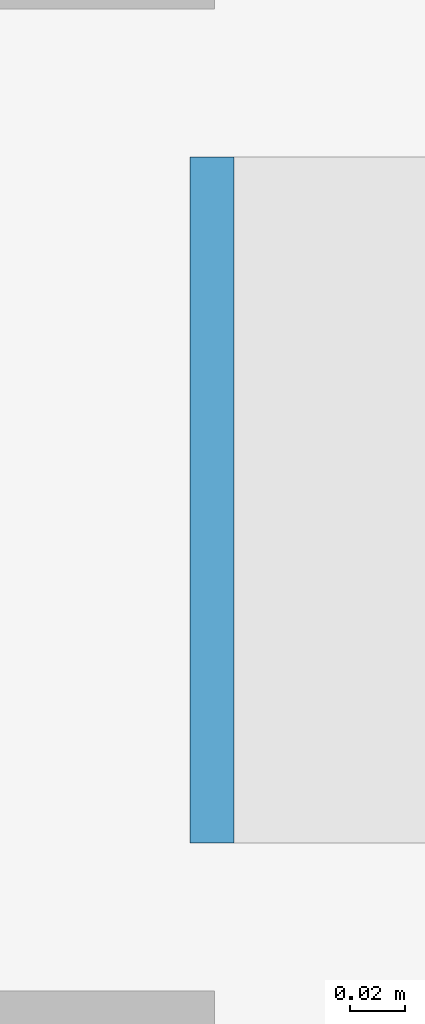
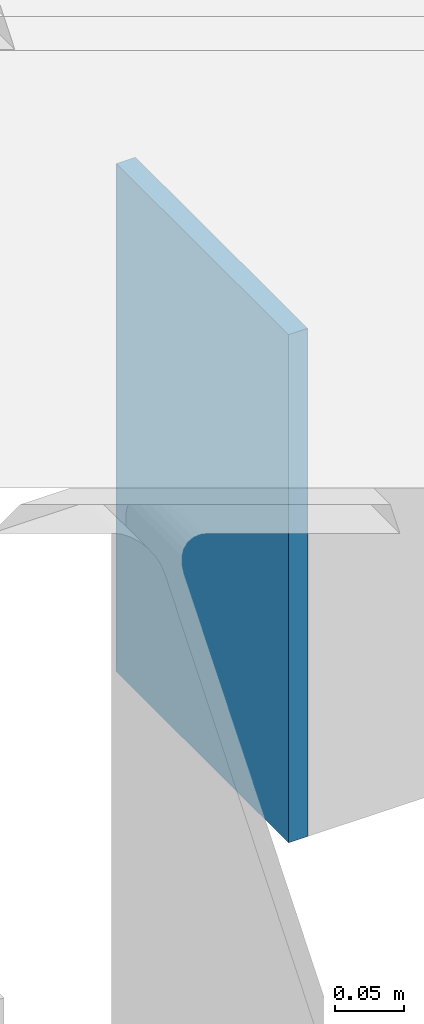
# One storey, part 59 of 85: 1 discrete accessory.
"""IFC4 building model written with IfcOpenShell, lengths in metres."""

import ifcopenshell
import ifcopenshell.guid

model = None  # the IFC model being written
_history = None  # IfcOwnerHistory: only IFC2X3 demands one
_inside = {}  # id of a spatial element -> (the spatial element, [elements in it])
_under = {}  # id of a project, library or spatial element -> (it, [spatial elements below it])
_declared = {}  # id of a project -> (the project, [libraries it declares])
_typed = {}  # id of a type object -> (the type object, [elements of that type])
_made_of = {}  # id of a material, layer set ... -> (it, [elements and type objects made of it])


def new_model(schema):
    """Start an empty IFC model of exactly this schema.

    Asked for "IFC4X3", IfcOpenShell would pick the latest addendum, in which some entities
    have other attributes; the version numbers below select the first issue.
    IFC2X3 requires an IfcOwnerHistory on every rooted entity: one is made here for all.
    """
    global model, _history
    if schema == "IFC4X3":
        model = ifcopenshell.file(schema_version=(4, 3, 0, 0))
    else:
        model = ifcopenshell.file(schema=schema)
    _inside.clear()
    _under.clear()
    _declared.clear()
    _typed.clear()
    _made_of.clear()
    _history = None
    if model.schema == "IFC2X3":
        org = make("IfcOrganization", Name="unknown")
        user = make(
            "IfcPersonAndOrganization",
            ThePerson=make("IfcPerson", FamilyName="unknown"),
            TheOrganization=org,
        )
        app = make(
            "IfcApplication",
            ApplicationDeveloper=org,
            Version="unknown",
            ApplicationFullName="unknown",
            ApplicationIdentifier="unknown",
        )
        _history = make(
            "IfcOwnerHistory",
            OwningUser=user,
            OwningApplication=app,
            ChangeAction="ADDED",
            CreationDate=0,
        )
    return model


def make(cls, **values):
    """One entity of the class cls with the attributes given. An attribute that is None is left unset."""
    return model.create_entity(
        cls, **{name: value for name, value in values.items() if value is not None}
    )


def rooted(cls, **values):
    """An entity with a GlobalId (a new one), such as an element, a storey or a relation."""
    return make(cls, GlobalId=ifcopenshell.guid.new(), OwnerHistory=_history, **values)


def si_unit(unit_type, name, prefix=None):
    """IfcSIUnit, for example si_unit("LENGTHUNIT", "METRE", prefix="MILLI")."""
    return make("IfcSIUnit", UnitType=unit_type, Prefix=prefix, Name=name)


def assignment(units):
    """IfcUnitAssignment: the units of a project."""
    return None if units is None else make("IfcUnitAssignment", Units=units)


def point(xyz):
    """IfcCartesianPoint."""
    return None if xyz is None else make("IfcCartesianPoint", Coordinates=xyz)


def direction(xyz):
    """IfcDirection."""
    return None if xyz is None else make("IfcDirection", DirectionRatios=xyz)


def frame(location, z_axis=None, x_axis=None):
    """IfcAxis2Placement3D, a coordinate frame: its origin and axes. An axis left out is left unset."""
    return make(
        "IfcAxis2Placement3D",
        Location=point(location),
        Axis=direction(z_axis),
        RefDirection=direction(x_axis),
    )


def frame_2d(location, x_axis=None):
    """IfcAxis2Placement2D, a coordinate frame in the plane: its origin and x axis."""
    return make(
        "IfcAxis2Placement2D", Location=point(location), RefDirection=direction(x_axis)
    )


def origin():
    """The frame at (0, 0, 0) with its axes left unset."""
    return frame((0.0, 0.0, 0.0))


def origin_2d():
    """The frame at (0, 0) in the plane with its x axis left unset."""
    return frame_2d((0.0, 0.0))


def place(relative_to, where):
    """IfcLocalPlacement: puts the frame where relative to a parent placement (None: the world)."""
    return make(
        "IfcLocalPlacement", PlacementRelTo=relative_to, RelativePlacement=where
    )


def context(
    kind, dimensions, precision=None, world=None, true_north=None, identifier=None
):
    """IfcGeometricRepresentationContext, for example the 3D "Model" context."""
    return make(
        "IfcGeometricRepresentationContext",
        ContextIdentifier=identifier,
        ContextType=kind,
        CoordinateSpaceDimension=dimensions,
        Precision=precision,
        WorldCoordinateSystem=world,
        TrueNorth=true_north,
    )


def subcontext(parent, identifier, kind, view, scale=None):
    """IfcGeometricRepresentationSubContext, for example "Body" below "Model"."""
    return make(
        "IfcGeometricRepresentationSubContext",
        ContextIdentifier=identifier,
        ContextType=kind,
        ParentContext=parent,
        TargetScale=scale,
        TargetView=view,
    )


def project(units=None, contexts=None):
    """IfcProject with its units and contexts."""
    return rooted(
        "IfcProject",
        Name="project",
        RepresentationContexts=contexts,
        UnitsInContext=assignment(units),
    )


def spatial(cls, under=None, at=None, **own):
    """A site, building, storey or space (cls), placed at a placement, below another one or the project."""
    s = rooted(cls, ObjectPlacement=at, **own)
    if under is not None:
        _under.setdefault(under.id(), (under, []))[1].append(s)
    return s


def profile(cls, at=None, kind="AREA", **sizes):
    """A parametric profile (cls). Its sizes go by their IFC names, for example OverallWidth=200.0."""
    return make(cls, ProfileType=kind, Position=at, **sizes)


def rectangle(**sizes):
    """IfcRectangleProfileDef."""
    return profile("IfcRectangleProfileDef", **sizes)


def extrude(swept, where, along, depth):
    """IfcExtrudedAreaSolid: the profile swept, set in the frame where, extruded along a direction by depth."""
    return make(
        "IfcExtrudedAreaSolid",
        SweptArea=swept,
        Position=where,
        ExtrudedDirection=direction(along),
        Depth=depth,
    )


def shape(context_of_items, identifier, shape_type, items):
    """IfcShapeRepresentation: the items that make up one representation, for example the "Body"."""
    return make(
        "IfcShapeRepresentation",
        ContextOfItems=context_of_items,
        RepresentationIdentifier=identifier,
        RepresentationType=shape_type,
        Items=items,
    )


def material(Name=None, Category=None):
    """IfcMaterial."""
    return make("IfcMaterial", Name=Name, Category=Category)


def made_of(thing, what):
    """Note that an element or type object is made of a material, layer set ...; save() writes the relation."""
    if what is not None:
        _made_of.setdefault(what.id(), (what, []))[1].append(thing)
    return thing


def type_object(cls, material=None, **own):
    """A type object (cls), such as IfcWallType, which elements share."""
    return made_of(rooted(cls, **own), material)


def element(
    cls,
    number,
    at=None,
    inside=None,
    cuts=None,
    type_object=None,
    material=None,
    context=None,
    identifier="Body",
    shape_type=None,
    held_by="IfcProductDefinitionShape",
    body=None,
    shapes=None,
    **own,
):
    """One element of the class cls, such as IfcWall. Its Tag is "e" and its number.

    at: its placement. inside: the storey or other place that contains it. cuts: it is an
    opening in that element (IfcRelVoidsElement). A single representation is given by context,
    identifier, shape_type and body (its items); several are given by shapes. held_by: the class
    of the entity that holds the representations. save() writes the other relations.
    """
    e = rooted(cls, Tag="e%d" % number, ObjectPlacement=at, **own)
    if body is not None:
        shapes = [shape(context, identifier, shape_type, body)]
    if shapes is not None:
        e.Representation = make(held_by, Representations=shapes)
    if inside is not None:
        _inside.setdefault(inside.id(), (inside, []))[1].append(e)
    if cuts is not None:
        rooted(
            "IfcRelVoidsElement", RelatingBuildingElement=cuts, RelatedOpeningElement=e
        )
    if type_object is not None:
        _typed.setdefault(type_object.id(), (type_object, []))[1].append(e)
    return made_of(e, material)


def aggregate(whole, parts):
    """IfcRelAggregates: a whole, such as a stair, and the parts it consists of."""
    return rooted("IfcRelAggregates", RelatingObject=whole, RelatedObjects=parts)


def save(model, path):
    """Write the relations noted so far, then the file.

    IfcRelAggregates (storeys below a building ...), IfcRelContainedInSpatialStructure (elements
    in a storey), IfcRelDefinesByType, IfcRelAssociatesMaterial and IfcRelDeclares: one each for
    every whole, place, type object, material and project.
    """
    for whole, parts in _under.values():
        aggregate(whole, parts)
    for where, things in _inside.values():
        rooted(
            "IfcRelContainedInSpatialStructure",
            RelatedElements=things,
            RelatingStructure=where,
        )
    for kind, things in _typed.values():
        rooted("IfcRelDefinesByType", RelatedObjects=things, RelatingType=kind)
    for what, things in _made_of.values():
        rooted("IfcRelAssociatesMaterial", RelatedObjects=things, RelatingMaterial=what)
    for by, libraries in _declared.values():
        rooted("IfcRelDeclares", RelatingContext=by, RelatedDefinitions=libraries)
    model.write(path)


model = new_model("IFC4")

# Units and contexts
model_context = context("Model", 3, precision=1e-05, world=origin(), true_north=direction((0.0, 1.0)))
body_context = subcontext(model_context, "Body", "Model", "MODEL_VIEW")
ifc_project = project(units=[si_unit("LENGTHUNIT", "METRE"), si_unit("AREAUNIT", "SQUARE_METRE"), si_unit("VOLUMEUNIT", "CUBIC_METRE"), si_unit("PLANEANGLEUNIT", "RADIAN"), si_unit("MASSUNIT", "GRAM", prefix="KILO"), si_unit("THERMODYNAMICTEMPERATUREUNIT", "KELVIN")], contexts=[model_context])

# Site, building, storey
site_placement = place(None, origin())
site = spatial("IfcSite", under=ifc_project, at=site_placement, CompositionType="ELEMENT")
building_placement = place(site_placement, origin())
building = spatial("IfcBuilding", under=site, at=building_placement, Name="Lustrewick Department Store", CompositionType="ELEMENT")
storey_placement = place(building_placement, origin())
storey = spatial("IfcBuildingStorey", under=building, at=storey_placement, Name="L01", CompositionType="ELEMENT", Elevation=0.0)

# Discrete accessory
ifc_material = material(Name="Structural steel Q355C", Category="steel")
discrete_accessory_type = type_object("IfcDiscreteAccessoryType", Name="ECP-01", PredefinedType="USERDEFINED", material=ifc_material)
discrete_accessory_placement = place(storey_placement, frame((92.609619140625, 92.39990234375, -0.4951171875), z_axis=(-1.0, 0.0, 0.0), x_axis=(0.0, 1.0, 0.0)))
element("IfcDiscreteAccessory", 1, at=discrete_accessory_placement, inside=storey, type_object=discrete_accessory_type, Name="L01 Welded Hollow-Section End-Cap Plate ECP-01", ObjectType="END_CAP_PLATE", PredefinedType="USERDEFINED", context=body_context, shape_type="SweptSolid", body=[
    extrude(rectangle(XDim=0.25, YDim=0.449951171875, at=origin_2d()), origin(), (0.0, 0.0, 1.0), 0.01611328125),
])

save(model, "model.ifc")
